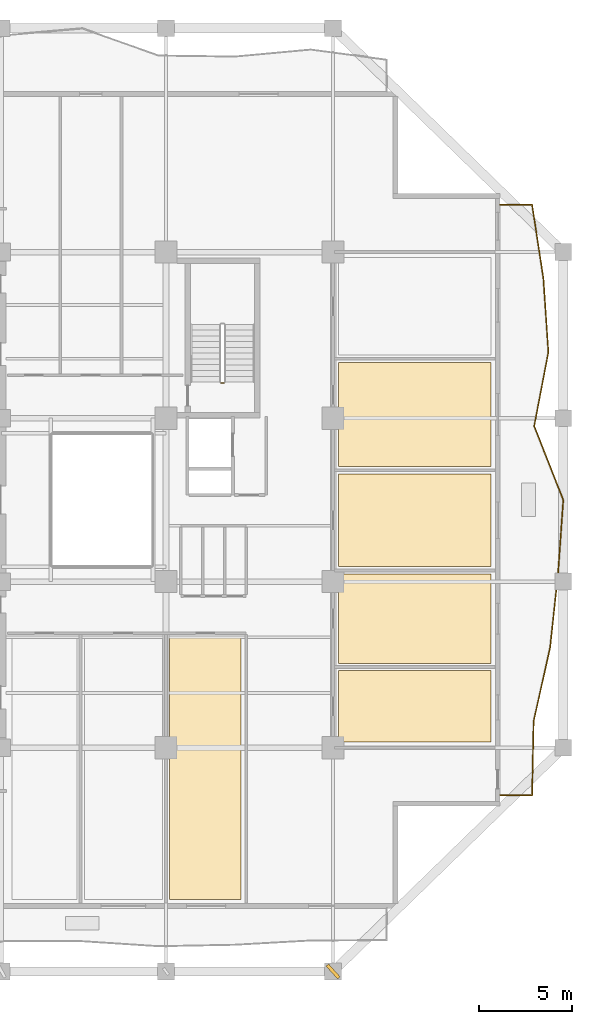
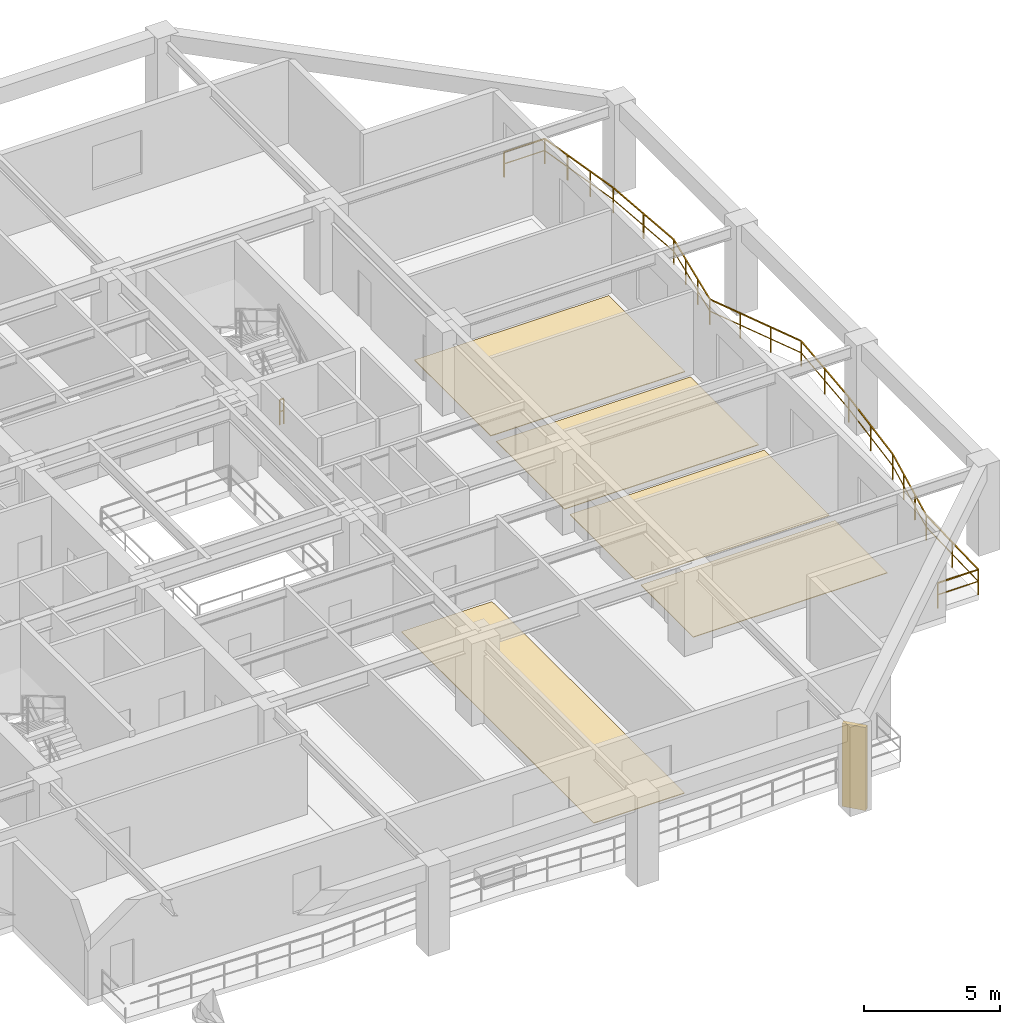
# One storey, part 10 of 13: 5 coverings, 2 railings, 1 shading device.
"""IFC4 building model written with IfcOpenShell, lengths in metres."""

from ifc_helpers import new_model, si_unit, direction, frame, origin, origin_2d, place, context, subcontext, project, spatial, polyline, rectangle, outline, extrude, material, layer, layer_set, type_object, element, save


model = new_model("IFC4")

# Units and contexts
model_context = context("Model", 3, precision=1e-05, world=origin(), true_north=direction((0.0, 1.0)))
body_context = subcontext(model_context, "Body", "Model", "MODEL_VIEW")
ifc_project = project(units=[si_unit("LENGTHUNIT", "METRE"), si_unit("AREAUNIT", "SQUARE_METRE"), si_unit("VOLUMEUNIT", "CUBIC_METRE"), si_unit("PLANEANGLEUNIT", "RADIAN"), si_unit("MASSUNIT", "GRAM", prefix="KILO")], contexts=[model_context])

# Site, building, storey
site_placement = place(None, origin())
site = spatial("IfcSite", under=ifc_project, at=site_placement, CompositionType="ELEMENT")
building_placement = place(site_placement, origin())
building = spatial("IfcBuilding", under=site, at=building_placement, Name="Kundavana Baori Tower", CompositionType="ELEMENT")
storey_placement = place(building_placement, frame((0.0, 0.0, 50.0)))
storey = spatial("IfcBuildingStorey", under=building, at=storey_placement, Name="L11", CompositionType="ELEMENT", Elevation=50.0)

# Coverings
ifc_material_1 = material(Name="Honed Kota Stone and Terrazzo Flooring", Category="masonry")
ifc_layer = layer(ifc_material_1, 0.030029296875, Name="COV-INT-FLR")
ifc_layer_set = layer_set([ifc_layer], Name="Honed Kota Stone and Terrazzo Flooring")
covering_type = type_object("IfcCoveringType", Name="COV-INT-FLR", PredefinedType="FLOORING", material=ifc_layer_set)
covering_1_placement = place(storey_placement, origin())
element("IfcCovering", 1, at=covering_1_placement, inside=storey, type_object=covering_type, Name="L11 Room Finished Stone Flooring 6", PredefinedType="FLOORING", context=body_context, shape_type="SweptSolid", body=[
    extrude(outline(polyline([(34.0, 7.080078125), (37.840087890625, 7.080078125), (37.840087890625, 21.199951171875), (34.0, 21.199951171875), (34.0, 7.080078125)])), origin(), (0.0, 0.0, 1.0), 0.030029296875),
])
covering_2_placement = place(storey_placement, origin())
element("IfcCovering", 2, at=covering_2_placement, inside=storey, type_object=covering_type, Name="L11 Room Finished Stone Flooring 7", PredefinedType="FLOORING", context=body_context, shape_type="SweptSolid", body=[
    extrude(outline(polyline([(43.10009765625, 15.550048828125), (51.320068359375, 15.550048828125), (51.320068359375, 19.39990234375), (43.10009765625, 19.39990234375), (43.10009765625, 15.550048828125)])), origin(), (0.0, 0.0, 1.0), 0.030029296875),
])
covering_3_placement = place(storey_placement, origin())
element("IfcCovering", 3, at=covering_3_placement, inside=storey, type_object=covering_type, Name="L11 Room Finished Stone Flooring 8", PredefinedType="FLOORING", context=body_context, shape_type="SweptSolid", body=[
    extrude(outline(polyline([(43.10009765625, 19.800048828125), (51.320068359375, 19.800048828125), (51.320068359375, 24.60009765625), (43.10009765625, 24.60009765625), (43.10009765625, 19.800048828125)])), origin(), (0.0, 0.0, 1.0), 0.030029296875),
])
covering_4_placement = place(storey_placement, origin())
element("IfcCovering", 4, at=covering_4_placement, inside=storey, type_object=covering_type, Name="L11 Room Finished Stone Flooring 9", PredefinedType="FLOORING", context=body_context, shape_type="SweptSolid", body=[
    extrude(outline(polyline([(43.10009765625, 25.0), (51.320068359375, 25.0), (51.320068359375, 30.0), (43.10009765625, 30.0), (43.10009765625, 25.0)])), origin(), (0.0, 0.0, 1.0), 0.030029296875),
])
covering_5_placement = place(storey_placement, origin())
element("IfcCovering", 5, at=covering_5_placement, inside=storey, type_object=covering_type, Name="L11 Room Finished Stone Flooring 10", PredefinedType="FLOORING", context=body_context, shape_type="SweptSolid", body=[
    extrude(outline(polyline([(43.10009765625, 30.39990234375), (51.320068359375, 30.39990234375), (51.320068359375, 36.0), (43.10009765625, 36.0), (43.10009765625, 30.39990234375)])), origin(), (0.0, 0.0, 1.0), 0.030029296875),
])

# Railings
ifc_material_2 = material(Name="Architectural Patinated Bronze Metalwork")
railing_type_1 = type_object("IfcRailingType", Name="RL-BAL-1150", PredefinedType="BALUSTRADE", material=ifc_material_2)
railing_1_placement = place(storey_placement, frame((51.800048828125, 44.5, 0.0)))
element("IfcRailing", 6, at=railing_1_placement, inside=storey, type_object=railing_type_1, Name="L11 Loggia Balcony Balustrade E", PredefinedType="BALUSTRADE", context=body_context, shape_type="SweptSolid", body=[
    extrude(rectangle(XDim=0.048095703125, YDim=0.048095703125, at=origin_2d()), frame((0.0, 0.0, 1.1259765625), z_axis=(1.0, 0.0, 0.0), x_axis=(0.0, 1.0, 0.0)), (0.0, 0.0, 1.0), 1.719970703125),
    extrude(rectangle(XDim=0.03125, YDim=0.03125, at=origin_2d()), frame((0.0, 0.0, 0.597900390625), z_axis=(1.0, 0.0, 0.0), x_axis=(0.0, 1.0, 0.0)), (0.0, 0.0, 1.0), 1.719970703125),
    extrude(rectangle(XDim=0.048095703125, YDim=0.048095703125, at=origin_2d()), frame((1.719970703125, 0.0, 1.1259765625), z_axis=(0.151943143161, -0.988389235699, 0.0), x_axis=(0.988389235699, 0.151943143161, 0.0)), (0.0, 0.0, 1.0), 4.021728515625),
    extrude(rectangle(XDim=0.03125, YDim=0.03125, at=origin_2d()), frame((1.719970703125, 0.0, 0.597900390625), z_axis=(0.151943143161, -0.988389235699, 0.0), x_axis=(0.988389235699, 0.151943143161, 0.0)), (0.0, 0.0, 1.0), 4.021728515625),
    extrude(rectangle(XDim=0.048095703125, YDim=0.048095703125, at=origin_2d()), frame((2.3310546875, -3.97509765625, 1.1259765625), z_axis=(0.066982695906, -0.997754137275, 0.0), x_axis=(0.997754137275, 0.066982695906, 0.0)), (0.0, 0.0, 1.0), 3.98388671875),
    extrude(rectangle(XDim=0.03125, YDim=0.03125, at=origin_2d()), frame((2.3310546875, -3.97509765625, 0.597900390625), z_axis=(0.066982695906, -0.997754137275, 0.0), x_axis=(0.997754137275, 0.066982695906, 0.0)), (0.0, 0.0, 1.0), 3.98388671875),
    extrude(rectangle(XDim=0.048095703125, YDim=0.048095703125, at=origin_2d()), frame((2.597900390625, -7.949951171875, 1.1259765625), z_axis=(-0.188954765258, -0.981985792507, 0.0), x_axis=(0.981985792507, -0.188954765258, 0.0)), (0.0, 0.0, 1.0), 4.048095703125),
    extrude(rectangle(XDim=0.03125, YDim=0.03125, at=origin_2d()), frame((2.597900390625, -7.949951171875, 0.597900390625), z_axis=(-0.188954765258, -0.981985792507, 0.0), x_axis=(0.981985792507, -0.188954765258, 0.0)), (0.0, 0.0, 1.0), 4.048095703125),
    extrude(rectangle(XDim=0.048095703125, YDim=0.048095703125, at=origin_2d()), frame((1.8330078125, -11.925048828125, 1.1259765625), z_axis=(0.366735860787, -0.930325108987, 0.0), x_axis=(0.930325108987, 0.366735860787, 0.0)), (0.0, 0.0, 1.0), 4.2724609375),
    extrude(rectangle(XDim=0.03125, YDim=0.03125, at=origin_2d()), frame((1.8330078125, -11.925048828125, 0.597900390625), z_axis=(0.366735860787, -0.930325108987, 0.0), x_axis=(0.930325108987, 0.366735860787, 0.0)), (0.0, 0.0, 1.0), 4.2724609375),
    extrude(rectangle(XDim=0.048095703125, YDim=0.048095703125, at=origin_2d()), frame((3.39990234375, -15.89990234375, 1.1259765625), z_axis=(-0.070759420793, -0.99749341069, 0.0), x_axis=(0.99749341069, -0.070759420793, 0.0)), (0.0, 0.0, 1.0), 3.985107421875),
    extrude(rectangle(XDim=0.03125, YDim=0.03125, at=origin_2d()), frame((3.39990234375, -15.89990234375, 0.597900390625), z_axis=(-0.070759420793, -0.99749341069, 0.0), x_axis=(0.99749341069, -0.070759420793, 0.0)), (0.0, 0.0, 1.0), 3.985107421875),
    extrude(rectangle(XDim=0.048095703125, YDim=0.048095703125, at=origin_2d()), frame((3.117919921875, -19.875, 1.1259765625), z_axis=(-0.106563310947, -0.994305919101, 0.0), x_axis=(0.994305919101, -0.106563310947, 0.0)), (0.0, 0.0, 1.0), 3.997802734375),
    extrude(rectangle(XDim=0.03125, YDim=0.03125, at=origin_2d()), frame((3.117919921875, -19.875, 0.597900390625), z_axis=(-0.106563310947, -0.994305919101, 0.0), x_axis=(0.994305919101, -0.106563310947, 0.0)), (0.0, 0.0, 1.0), 3.997802734375),
    extrude(rectangle(XDim=0.048095703125, YDim=0.048095703125, at=origin_2d()), frame((2.69189453125, -23.85009765625, 1.1259765625), z_axis=(-0.218015659426, -0.975945271132, 0.0), x_axis=(0.975945271132, -0.218015659426, 0.0)), (0.0, 0.0, 1.0), 4.07275390625),
    extrude(rectangle(XDim=0.03125, YDim=0.03125, at=origin_2d()), frame((2.69189453125, -23.85009765625, 0.597900390625), z_axis=(-0.218015659426, -0.975945271132, 0.0), x_axis=(0.975945271132, -0.218015659426, 0.0)), (0.0, 0.0, 1.0), 4.07275390625),
    extrude(rectangle(XDim=0.048095703125, YDim=0.048095703125, at=origin_2d()), frame((1.803955078125, -27.824951171875, 1.1259765625), z_axis=(-0.021122911738, -0.99977688641, 0.0), x_axis=(0.99977688641, -0.021122911738, 0.0)), (0.0, 0.0, 1.0), 3.97607421875),
    extrude(rectangle(XDim=0.03125, YDim=0.03125, at=origin_2d()), frame((1.803955078125, -27.824951171875, 0.597900390625), z_axis=(-0.021122911738, -0.99977688641, 0.0), x_axis=(0.99977688641, -0.021122911738, 0.0)), (0.0, 0.0, 1.0), 3.97607421875),
    extrude(rectangle(XDim=0.048095703125, YDim=0.048095703125, at=origin_2d()), frame((1.719970703125, -31.800048828125, 1.1259765625), z_axis=(-1.0, 0.0, 0.0), x_axis=(0.0, -1.0, 0.0)), (0.0, 0.0, 1.0), 1.719970703125),
    extrude(rectangle(XDim=0.03125, YDim=0.03125, at=origin_2d()), frame((1.719970703125, -31.800048828125, 0.597900390625), z_axis=(-1.0, 0.0, 0.0), x_axis=(0.0, -1.0, 0.0)), (0.0, 0.0, 1.0), 1.719970703125),
    extrude(rectangle(XDim=0.0419921875, YDim=0.0419921875, at=origin_2d()), origin(), (0.0, 0.0, 1.0), 1.101806640625),
    extrude(rectangle(XDim=0.0419921875, YDim=0.0419921875, at=origin_2d()), frame((1.719970703125, 0.0, 0.0)), (0.0, 0.0, 1.0), 1.101806640625),
    extrude(rectangle(XDim=0.0419921875, YDim=0.0419921875, at=origin_2d()), frame((1.923583984375, -1.324951171875, 0.0)), (0.0, 0.0, 1.0), 1.101806640625),
    extrude(rectangle(XDim=0.0419921875, YDim=0.0419921875, at=origin_2d()), frame((2.12744140625, -2.650146484375, 0.0)), (0.0, 0.0, 1.0), 1.101806640625),
    extrude(rectangle(XDim=0.0419921875, YDim=0.0419921875, at=origin_2d()), frame((2.3310546875, -3.97509765625, 0.0)), (0.0, 0.0, 1.0), 1.101806640625),
    extrude(rectangle(XDim=0.0419921875, YDim=0.0419921875, at=origin_2d()), frame((2.46435546875, -5.96240234375, 0.0)), (0.0, 0.0, 1.0), 1.101806640625),
    extrude(rectangle(XDim=0.0419921875, YDim=0.0419921875, at=origin_2d()), frame((2.597900390625, -7.949951171875, 0.0)), (0.0, 0.0, 1.0), 1.101806640625),
    extrude(rectangle(XDim=0.0419921875, YDim=0.0419921875, at=origin_2d()), frame((2.343017578125, -9.27490234375, 0.0)), (0.0, 0.0, 1.0), 1.101806640625),
    extrude(rectangle(XDim=0.0419921875, YDim=0.0419921875, at=origin_2d()), frame((2.087890625, -10.60009765625, 0.0)), (0.0, 0.0, 1.0), 1.101806640625),
    extrude(rectangle(XDim=0.0419921875, YDim=0.0419921875, at=origin_2d()), frame((1.8330078125, -11.925048828125, 0.0)), (0.0, 0.0, 1.0), 1.101806640625),
    extrude(rectangle(XDim=0.0419921875, YDim=0.0419921875, at=origin_2d()), frame((2.355224609375, -13.25, 0.0)), (0.0, 0.0, 1.0), 1.101806640625),
    extrude(rectangle(XDim=0.0419921875, YDim=0.0419921875, at=origin_2d()), frame((2.877685546875, -14.574951171875, 0.0)), (0.0, 0.0, 1.0), 1.101806640625),
    extrude(rectangle(XDim=0.0419921875, YDim=0.0419921875, at=origin_2d()), frame((3.39990234375, -15.89990234375, 0.0)), (0.0, 0.0, 1.0), 1.101806640625),
    extrude(rectangle(XDim=0.0419921875, YDim=0.0419921875, at=origin_2d()), frame((3.2587890625, -17.887451171875, 0.0)), (0.0, 0.0, 1.0), 1.101806640625),
    extrude(rectangle(XDim=0.0419921875, YDim=0.0419921875, at=origin_2d()), frame((3.117919921875, -19.875, 0.0)), (0.0, 0.0, 1.0), 1.101806640625),
    extrude(rectangle(XDim=0.0419921875, YDim=0.0419921875, at=origin_2d()), frame((2.90478515625, -21.862548828125, 0.0)), (0.0, 0.0, 1.0), 1.101806640625),
    extrude(rectangle(XDim=0.0419921875, YDim=0.0419921875, at=origin_2d()), frame((2.69189453125, -23.85009765625, 0.0)), (0.0, 0.0, 1.0), 1.101806640625),
    extrude(rectangle(XDim=0.0419921875, YDim=0.0419921875, at=origin_2d()), frame((2.39599609375, -25.175048828125, 0.0)), (0.0, 0.0, 1.0), 1.101806640625),
    extrude(rectangle(XDim=0.0419921875, YDim=0.0419921875, at=origin_2d()), frame((2.099853515625, -26.5, 0.0)), (0.0, 0.0, 1.0), 1.101806640625),
    extrude(rectangle(XDim=0.0419921875, YDim=0.0419921875, at=origin_2d()), frame((1.803955078125, -27.824951171875, 0.0)), (0.0, 0.0, 1.0), 1.101806640625),
    extrude(rectangle(XDim=0.0419921875, YDim=0.0419921875, at=origin_2d()), frame((1.761962890625, -29.8125, 0.0)), (0.0, 0.0, 1.0), 1.101806640625),
    extrude(rectangle(XDim=0.0419921875, YDim=0.0419921875, at=origin_2d()), frame((1.719970703125, -31.800048828125, 0.0)), (0.0, 0.0, 1.0), 1.101806640625),
    extrude(rectangle(XDim=0.0419921875, YDim=0.0419921875, at=origin_2d()), frame((0.0, -31.800048828125, 0.0)), (0.0, 0.0, 1.0), 1.101806640625),
])
ifc_material_3 = material(Name="Architectural Patinated Bronze Metalwork")
railing_type_2 = type_object("IfcRailingType", Name="RL-GRD-1150", PredefinedType="GUARDRAIL", material=ifc_material_3)
railing_2_placement = place(storey_placement, frame((36.929931640625, 34.89990234375, 0.0)))
element("IfcRailing", 7, at=railing_2_placement, inside=storey, type_object=railing_type_2, Name="L11 ST3 stair guard 4", PredefinedType="GUARDRAIL", context=body_context, shape_type="SweptSolid", body=[
    extrude(rectangle(XDim=0.048095703125, YDim=0.048095703125, at=origin_2d()), frame((0.0, 0.0, 1.1259765625), z_axis=(-1.0, 0.0, 0.0), x_axis=(0.0, -1.0, 0.0)), (0.0, 0.0, 1.0), 0.159912109375),
    extrude(rectangle(XDim=0.03125, YDim=0.03125, at=origin_2d()), frame((0.0, 0.0, 0.597900390625), z_axis=(-1.0, 0.0, 0.0), x_axis=(0.0, -1.0, 0.0)), (0.0, 0.0, 1.0), 0.159912109375),
    extrude(rectangle(XDim=0.0419921875, YDim=0.0419921875, at=origin_2d()), origin(), (0.0, 0.0, 1.0), 1.101806640625),
    extrude(rectangle(XDim=0.0419921875, YDim=0.0419921875, at=origin_2d()), frame((-0.159912109375, 0.0, 0.0)), (0.0, 0.0, 1.0), 1.101806640625),
])

# Shading device
ifc_material_4 = material(Name="Red-Buff Dholpur Sandstone Cladding on Concrete C40/50", Category="masonry")
shading_device_type = type_object("IfcShadingDeviceType", Name="SHD-FIN-920", PredefinedType="JALOUSIE", material=ifc_material_4)
shading_device_placement = place(storey_placement, frame((42.800048828125, 3.199951171875, 0.0), z_axis=(0.0, 0.0, 1.0), x_axis=(0.743144825477, 0.669130606359, 0.0)))
element("IfcShadingDevice", 8, at=shading_device_placement, inside=storey, type_object=shading_device_type, Name="L11 Sweeping Dholpur Sandstone Facade Fin 4", PredefinedType="JALOUSIE", context=body_context, shape_type="SweptSolid", body=[
    extrude(rectangle(XDim=0.179931640625, YDim=0.919921875, at=origin_2d()), origin(), (0.0, 0.0, 1.0), 3.719970703125),
])

save(model, "model.ifc")
